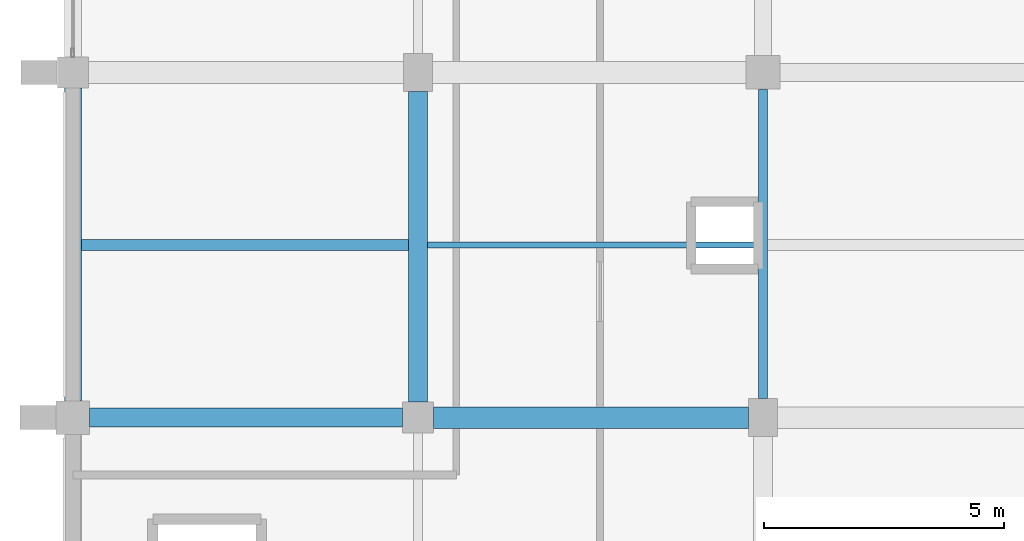
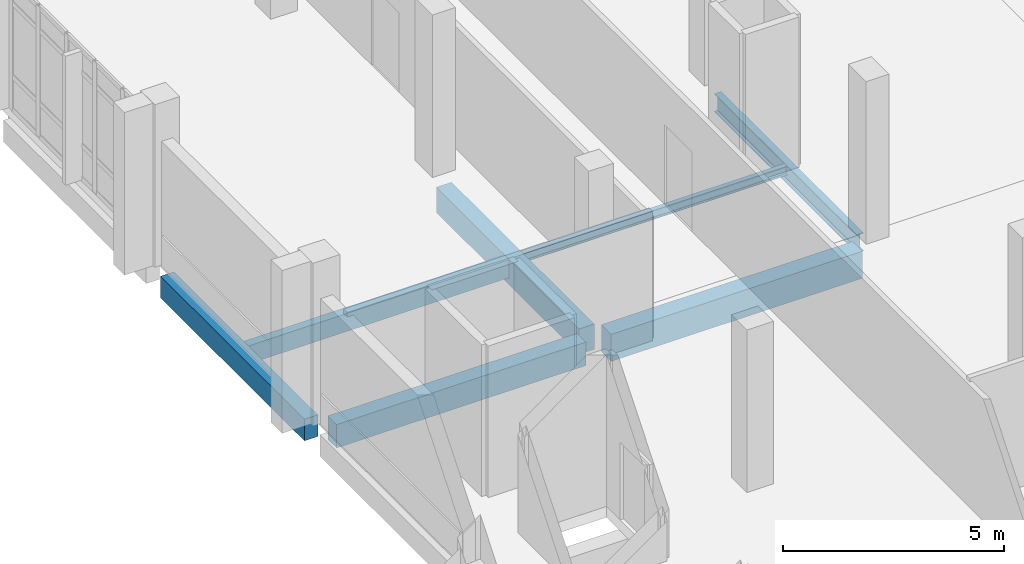
# One storey, part 33 of 116: 7 beams.
"""IFC4 building model written with IfcOpenShell, lengths in metres."""

from ifc_helpers import new_model, si_unit, direction, frame, origin, origin_2d, place, context, subcontext, project, spatial, rectangle, i_section, extrude, material, material_profile, profile_set, type_object, element, save


model = new_model("IFC4")

# Units and contexts
model_context = context("Model", 3, precision=1e-05, world=origin(), true_north=direction((0.0, 1.0)))
body_context = subcontext(model_context, "Body", "Model", "MODEL_VIEW")
ifc_project = project(units=[si_unit("LENGTHUNIT", "METRE"), si_unit("AREAUNIT", "SQUARE_METRE"), si_unit("VOLUMEUNIT", "CUBIC_METRE"), si_unit("PLANEANGLEUNIT", "RADIAN"), si_unit("MASSUNIT", "GRAM", prefix="KILO")], contexts=[model_context])

# Site, building, storey
site_placement = place(None, origin())
site = spatial("IfcSite", under=ifc_project, at=site_placement, CompositionType="ELEMENT")
building_placement = place(site_placement, origin())
building = spatial("IfcBuilding", under=site, at=building_placement, Name="Kalluvel Institute of Natural Sciences", CompositionType="ELEMENT")
storey_placement = place(building_placement, frame((0.0, 0.0, 14.39990234375)))
storey = spatial("IfcBuildingStorey", under=building, at=storey_placement, Name="L03", CompositionType="ELEMENT", Elevation=14.39990234375)

# Beams
ifc_material_1 = material(Name="Steel E350 Grade 350", Category="steel")
ifc_material_profile_1 = material_profile(ifc_material_1, i_section(OverallWidth=0.179931640625, OverallDepth=0.5, WebThickness=0.01025390625, FlangeThickness=0.01708984375, FilletRadius=0.01708984375, at=origin_2d()), Name="ISMB 500")
ifc_profile_set_1 = profile_set([ifc_material_profile_1], Name="Steel E350 Grade 350")
beam_type_1 = type_object("IfcBeamType", Name="BM-ISMB500", PredefinedType="BEAM", material=ifc_profile_set_1)
beam_1_placement = place(storey_placement, frame((28.39990234375, 64.800048828125, -0.5498046875), z_axis=(0.0, 1.0, 0.0), x_axis=(-1.0, 0.0, 0.0)))
element("IfcBeam", 1, at=beam_1_placement, inside=storey, type_object=beam_type_1, Name="L03 girder GIR-L03-NS-X284-Y644", PredefinedType="BEAM", context=body_context, shape_type="SweptSolid", body=[
    extrude(i_section(OverallWidth=0.179931640625, OverallDepth=0.5, WebThickness=0.01025390625, FlangeThickness=0.01708984375, FilletRadius=0.01708984375, at=origin_2d()), origin(), (0.0, 0.0, 1.0), 6.449951171875),
])
ifc_material_2 = material(Name="Concrete M40", Category="concrete")
ifc_material_profile_2 = material_profile(ifc_material_2, rectangle(XDim=0.39990234375, YDim=0.64990234375, at=origin_2d()), Name="RCB 400x650")
ifc_profile_set_2 = profile_set([ifc_material_profile_2], Name="Concrete M40")
beam_type_2 = type_object("IfcBeamType", Name="BM-RC400x650", PredefinedType="BEAM", material=ifc_profile_set_2)
beam_2_placement = place(storey_placement, frame((14.35009765625, 64.39990234375, -0.625), z_axis=(1.0, 0.0, 0.0), x_axis=(0.0, 1.0, 0.0)))
element("IfcBeam", 2, at=beam_2_placement, inside=storey, type_object=beam_type_2, Name="L03 girder GIR-L03-EW-X140-Y644", PredefinedType="BEAM", context=body_context, shape_type="SweptSolid", body=[
    extrude(rectangle(XDim=0.39990234375, YDim=0.64990234375, at=origin_2d()), origin(), (0.0, 0.0, 1.0), 6.52490234375),
])
ifc_material_profile_3 = material_profile(ifc_material_2, rectangle(XDim=0.39990234375, YDim=0.699951171875, at=origin_2d()), Name="RCB 400x700")
ifc_profile_set_3 = profile_set([ifc_material_profile_3], Name="Concrete M40")
beam_type_3 = type_object("IfcBeamType", Name="BM-RC400x700", PredefinedType="BEAM", material=ifc_profile_set_3)
beam_3_placement = place(storey_placement, frame((21.199951171875, 64.72509765625, -0.64990234375), z_axis=(0.0, 1.0, 0.0), x_axis=(-1.0, 0.0, 0.0)))
element("IfcBeam", 3, at=beam_3_placement, inside=storey, type_object=beam_type_3, Name="L03 girder GIR-L03-NS-X212-Y644", PredefinedType="BEAM", context=body_context, shape_type="SweptSolid", body=[
    extrude(rectangle(XDim=0.39990234375, YDim=0.699951171875, at=origin_2d()), origin(), (0.0, 0.0, 1.0), 6.474853515625),
])
ifc_material_profile_4 = material_profile(ifc_material_2, rectangle(XDim=0.449951171875, YDim=0.75, at=origin_2d()), Name="RCB 450x750")
ifc_profile_set_4 = profile_set([ifc_material_profile_4], Name="Concrete M40")
beam_type_4 = type_object("IfcBeamType", Name="BM-RC450x750", PredefinedType="BEAM", material=ifc_profile_set_4)
beam_4_placement = place(storey_placement, frame((21.52490234375, 64.39990234375, -0.6748046875), z_axis=(1.0, 0.0, 0.0), x_axis=(0.0, 1.0, 0.0)))
element("IfcBeam", 4, at=beam_4_placement, inside=storey, type_object=beam_type_4, Name="L03 girder GIR-L03-EW-X212-Y644", PredefinedType="BEAM", context=body_context, shape_type="SweptSolid", body=[
    extrude(rectangle(XDim=0.449951171875, YDim=0.75, at=origin_2d()), origin(), (0.0, 0.0, 1.0), 6.5751953125),
])
ifc_material_profile_5 = material_profile(ifc_material_2, rectangle(XDim=0.35009765625, YDim=0.60009765625, at=origin_2d()), Name="RCB 350x600")
ifc_profile_set_5 = profile_set([ifc_material_profile_5], Name="Concrete M40")
beam_type_5 = type_object("IfcBeamType", Name="SP-RC350x600", PredefinedType="SPANDREL", material=ifc_profile_set_5)
beam_5_placement = place(storey_placement, frame((14.0, 64.75, -0.599853515625), z_axis=(0.0, 1.0, 0.0), x_axis=(-1.0, 0.0, 0.0)))
element("IfcBeam", 5, at=beam_5_placement, inside=storey, type_object=beam_type_5, Name="L03 girder GIR-L03-NS-X140-Y644", PredefinedType="SPANDREL", context=body_context, shape_type="SweptSolid", body=[
    extrude(rectangle(XDim=0.35009765625, YDim=0.60009765625, at=origin_2d()), origin(), (0.0, 0.0, 1.0), 6.52490234375),
])
ifc_material_profile_6 = material_profile(ifc_material_2, rectangle(XDim=0.219970703125, YDim=0.5, at=origin_2d()), Name="WAF 220x500")
ifc_profile_set_6 = profile_set([ifc_material_profile_6], Name="Concrete M40")
beam_type_6 = type_object("IfcBeamType", Name="WJ-220x500", PredefinedType="JOIST", material=ifc_profile_set_6)
beam_6_placement = place(storey_placement, frame((14.175048828125, 68.0, -0.5498046875), z_axis=(1.0, 0.0, 0.0), x_axis=(0.0, 1.0, 0.0)))
element("IfcBeam", 6, at=beam_6_placement, inside=storey, type_object=beam_type_6, Name="L03 floor rib RIB-L03-0698", PredefinedType="JOIST", context=body_context, shape_type="SweptSolid", body=[
    extrude(rectangle(XDim=0.219970703125, YDim=0.5, at=origin_2d()), origin(), (0.0, 0.0, 1.0), 6.824951171875),
])
ifc_material_profile_7 = material_profile(ifc_material_1, i_section(OverallWidth=0.125, OverallDepth=0.25, WebThickness=0.0068359375, FlangeThickness=0.012451171875, FilletRadius=0.012939453125, at=origin_2d()), Name="ISMB 250")
ifc_profile_set_7 = profile_set([ifc_material_profile_7], Name="Steel E350 Grade 350")
beam_type_7 = type_object("IfcBeamType", Name="WJ-ISMB250", PredefinedType="JOIST", material=ifc_profile_set_7)
beam_7_placement = place(storey_placement, frame((21.39990234375, 68.0, -0.4248046875), z_axis=(1.0, 0.0, 0.0), x_axis=(0.0, 1.0, 0.0)))
element("IfcBeam", 7, at=beam_7_placement, inside=storey, type_object=beam_type_7, Name="L03 floor rib RIB-L03-0699", PredefinedType="JOIST", context=body_context, shape_type="SweptSolid", body=[
    extrude(i_section(OverallWidth=0.125, OverallDepth=0.25, WebThickness=0.0068359375, FlangeThickness=0.012451171875, FilletRadius=0.012939453125, at=origin_2d()), origin(), (0.0, 0.0, 1.0), 6.91015625),
])

save(model, "model.ifc")
